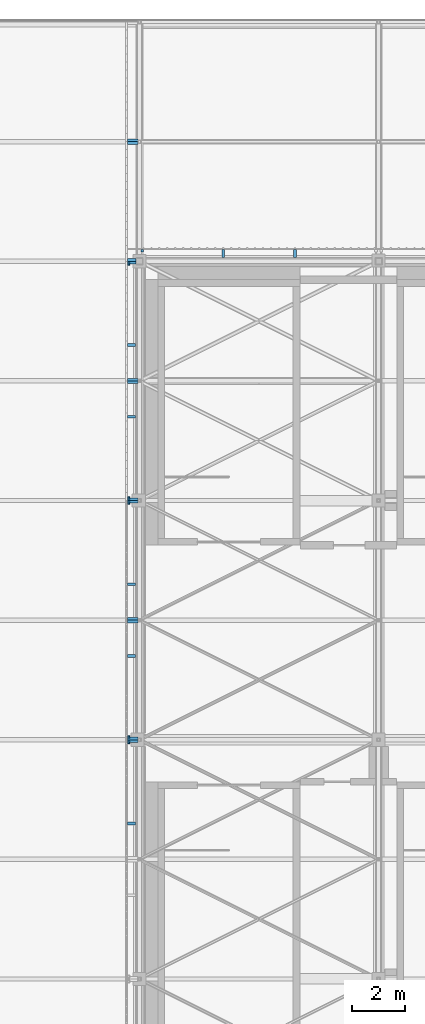
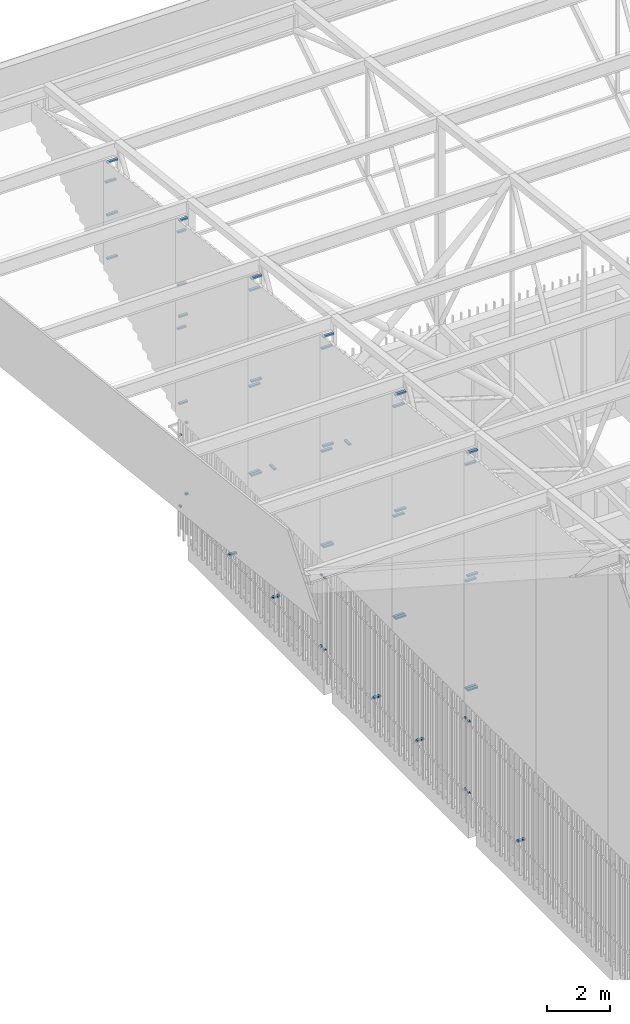
# One storey, part 446 of 500: 53 discrete accessories.
"""IFC4 building model written with IfcOpenShell, lengths in metres."""

from ifc_helpers import new_model, si_unit, direction, frame, origin, origin_2d, place, context, subcontext, project, spatial, rectangle, extrude, material, type_object, element, save


model = new_model("IFC4")

# Units and contexts
model_context = context("Model", 3, precision=1e-05, world=origin(), true_north=direction((0.0, 1.0)))
body_context = subcontext(model_context, "Body", "Model", "MODEL_VIEW")
ifc_project = project(units=[si_unit("LENGTHUNIT", "METRE"), si_unit("AREAUNIT", "SQUARE_METRE"), si_unit("VOLUMEUNIT", "CUBIC_METRE"), si_unit("PLANEANGLEUNIT", "RADIAN"), si_unit("MASSUNIT", "GRAM", prefix="KILO")], contexts=[model_context])

# Site, building, storey
site_placement = place(None, origin())
site = spatial("IfcSite", under=ifc_project, at=site_placement, CompositionType="ELEMENT")
building_placement = place(site_placement, origin())
building = spatial("IfcBuilding", under=site, at=building_placement, Name="Shirokan Park Arena", CompositionType="ELEMENT")
storey_placement = place(building_placement, frame((0.0, 0.0, 29.1201171875)))
storey = spatial("IfcBuildingStorey", under=building, at=storey_placement, Name="L06", CompositionType="ELEMENT", Elevation=29.1201171875)

# Discrete accessories
ifc_material = material(Name="Steel S355", Category="steel")
discrete_accessory_type = type_object("IfcDiscreteAccessoryType", Name="Veil bracket 100x60", PredefinedType="BRACKET", material=ifc_material)
for number, where, z_axis, x_axis, name in (
    (1, (0.10009765625, 109.597412109375, 1.06982421875), (0.0, 0.0, 1.0), (-1.0, 0.0, 0.0), "Veil bracket north bay 16 L06 2"),
    (2, (0.10009765625, 109.597412109375, 3.81982421875), (0.0, 0.0, 1.0), (-1.0, 0.0, 0.0), "Veil bracket north bay 16 L06 4"),
):
    element("IfcDiscreteAccessory", number, at=place(storey_placement, frame(where, z_axis=z_axis, x_axis=x_axis)), inside=storey, type_object=discrete_accessory_type, Name=name, PredefinedType="BRACKET", context=body_context, shape_type="SweptSolid", body=[
        extrude(rectangle(XDim=0.10009765625, YDim=0.094970703125, at=origin_2d()), origin(), (0.0, 0.0, 1.0), 0.06005859375),
    ])
for number, where, z_axis, x_axis, name in (
    (3, (5.9150390625, 109.49755859375, 1.06982421875), (0.0, 0.0, 1.0), (-1.0, 0.0, 0.0), "Veil bracket north bay 16 L06 wall 1"),
    (4, (3.18505859375, 109.49755859375, 1.06982421875), (0.0, 0.0, 1.0), (-1.0, 0.0, 0.0), "Veil bracket north bay 16 L06 wall 2"),
):
    element("IfcDiscreteAccessory", number, at=place(storey_placement, frame(where, z_axis=z_axis, x_axis=x_axis)), inside=storey, type_object=discrete_accessory_type, Name=name, PredefinedType="BRACKET", context=body_context, shape_type="SweptSolid", body=[
        extrude(rectangle(XDim=0.10009765625, YDim=0.294921875, at=origin_2d()), origin(), (0.0, 0.0, 1.0), 0.06005859375),
    ])
for number, where, z_axis, x_axis, name in (
    (5, (-0.409912109375, 109.10009765625, 1.06982421875), (0.0, 0.0, 1.0), (0.0, -1.0, 0.0), "Veil bracket west bay 1 L06 1"),
    (6, (-0.409912109375, 100.199951171875, 1.06982421875), (0.0, 0.0, 1.0), (0.0, -1.0, 0.0), "Veil bracket west bay 1 L06 2"),
    (7, (-0.409912109375, 109.10009765625, 3.81982421875), (0.0, 0.0, 1.0), (0.0, -1.0, 0.0), "Veil bracket west bay 1 L06 3"),
    (8, (-0.409912109375, 100.199951171875, 3.81982421875), (0.0, 0.0, 1.0), (0.0, -1.0, 0.0), "Veil bracket west bay 1 L06 4"),
):
    element("IfcDiscreteAccessory", number, at=place(storey_placement, frame(where, z_axis=z_axis, x_axis=x_axis)), inside=storey, type_object=discrete_accessory_type, Name=name, PredefinedType="BRACKET", context=body_context, shape_type="SweptSolid", body=[
        extrude(rectangle(XDim=0.10009765625, YDim=0.070068359375, at=origin_2d()), origin(), (0.0, 0.0, 1.0), 0.06005859375),
    ])
for number, where, z_axis, x_axis, name in (
    (9, (-0.297607421875, 106.014892578125, 1.06982421875), (0.0, 0.0, 1.0), (0.0, -1.0, 0.0), "Veil bracket west bay 1 L06 wall 1"),
    (10, (-0.297607421875, 103.284912109375, 1.06982421875), (0.0, 0.0, 1.0), (0.0, -1.0, 0.0), "Veil bracket west bay 1 L06 wall 2"),
):
    element("IfcDiscreteAccessory", number, at=place(storey_placement, frame(where, z_axis=z_axis, x_axis=x_axis)), inside=storey, type_object=discrete_accessory_type, Name=name, PredefinedType="BRACKET", context=body_context, shape_type="SweptSolid", body=[
        extrude(rectangle(XDim=0.10009765625, YDim=0.294921875, at=origin_2d()), origin(), (0.0, 0.0, 1.0), 0.06005859375),
    ])
for number, where, z_axis, x_axis, name in (
    (11, (-0.409912109375, 100.0, 1.06982421875), (0.0, 0.0, 1.0), (0.0, -1.0, 0.0), "Veil bracket west bay 2 L06 1"),
    (12, (-0.409912109375, 91.10009765625, 1.06982421875), (0.0, 0.0, 1.0), (0.0, -1.0, 0.0), "Veil bracket west bay 2 L06 2"),
    (13, (-0.409912109375, 100.0, 3.81982421875), (0.0, 0.0, 1.0), (0.0, -1.0, 0.0), "Veil bracket west bay 2 L06 3"),
    (14, (-0.409912109375, 91.10009765625, 3.81982421875), (0.0, 0.0, 1.0), (0.0, -1.0, 0.0), "Veil bracket west bay 2 L06 4"),
):
    element("IfcDiscreteAccessory", number, at=place(storey_placement, frame(where, z_axis=z_axis, x_axis=x_axis)), inside=storey, type_object=discrete_accessory_type, Name=name, PredefinedType="BRACKET", context=body_context, shape_type="SweptSolid", body=[
        extrude(rectangle(XDim=0.10009765625, YDim=0.070068359375, at=origin_2d()), origin(), (0.0, 0.0, 1.0), 0.06005859375),
    ])
for number, where, z_axis, x_axis, name in (
    (15, (-0.297607421875, 96.9150390625, 1.06982421875), (0.0, 0.0, 1.0), (0.0, -1.0, 0.0), "Veil bracket west bay 2 L06 wall 1"),
    (16, (-0.297607421875, 94.18505859375, 1.06982421875), (0.0, 0.0, 1.0), (0.0, -1.0, 0.0), "Veil bracket west bay 2 L06 wall 2"),
):
    element("IfcDiscreteAccessory", number, at=place(storey_placement, frame(where, z_axis=z_axis, x_axis=x_axis)), inside=storey, type_object=discrete_accessory_type, Name=name, PredefinedType="BRACKET", context=body_context, shape_type="SweptSolid", body=[
        extrude(rectangle(XDim=0.10009765625, YDim=0.294921875, at=origin_2d()), origin(), (0.0, 0.0, 1.0), 0.06005859375),
    ])
for number, where, z_axis, x_axis, name in (
    (17, (-0.409912109375, 90.89990234375, 1.06982421875), (0.0, 0.0, 1.0), (0.0, -1.0, 0.0), "Veil bracket west bay 3 L06 1"),
    (18, (-0.409912109375, 90.89990234375, 3.81982421875), (0.0, 0.0, 1.0), (0.0, -1.0, 0.0), "Veil bracket west bay 3 L06 3"),
):
    element("IfcDiscreteAccessory", number, at=place(storey_placement, frame(where, z_axis=z_axis, x_axis=x_axis)), inside=storey, type_object=discrete_accessory_type, Name=name, PredefinedType="BRACKET", context=body_context, shape_type="SweptSolid", body=[
        extrude(rectangle(XDim=0.10009765625, YDim=0.070068359375, at=origin_2d()), origin(), (0.0, 0.0, 1.0), 0.06005859375),
    ])
discrete_accessory_placement = place(storey_placement, frame((-0.297607421875, 87.81494140625, 1.06982421875), z_axis=(0.0, 0.0, 1.0), x_axis=(0.0, -1.0, 0.0)))
element("IfcDiscreteAccessory", 19, at=discrete_accessory_placement, inside=storey, type_object=discrete_accessory_type, Name="Veil bracket west bay 3 L06 wall 1", PredefinedType="BRACKET", context=body_context, shape_type="SweptSolid", body=[
    extrude(rectangle(XDim=0.10009765625, YDim=0.294921875, at=origin_2d()), origin(), (0.0, 0.0, 1.0), 0.06005859375),
])
for number, where, z_axis, x_axis, name in (
    (20, (-0.254150390625, 90.949951171875, 4.995849609375), (0.0, 0.0, 1.0), (1.0, 0.0, 0.0), "Veil bracket gable band west bay 22 4"),
    (21, (-0.254150390625, 90.949951171875, 9.393798828125), (0.0, 0.0, 1.0), (1.0, 0.0, 0.0), "Veil bracket gable band west bay 22 5"),
    (22, (-0.254150390625, 90.949951171875, 14.141845703125), (0.0, 0.0, 1.0), (1.0, 0.0, 0.0), "Veil bracket gable band west bay 22 6"),
    (23, (-0.254150390625, 91.050048828125, 4.995849609375), (0.0, 0.0, 1.0), (1.0, 0.0, 0.0), "Veil bracket gable band west bay 23 1"),
    (24, (-0.254150390625, 91.050048828125, 9.1337890625), (0.0, 0.0, 1.0), (1.0, 0.0, 0.0), "Veil bracket gable band west bay 23 2"),
    (25, (-0.254150390625, 91.050048828125, 13.621826171875), (0.0, 0.0, 1.0), (1.0, 0.0, 0.0), "Veil bracket gable band west bay 23 3"),
):
    element("IfcDiscreteAccessory", number, at=place(storey_placement, frame(where, z_axis=z_axis, x_axis=x_axis)), inside=storey, type_object=discrete_accessory_type, Name=name, PredefinedType="BRACKET", context=body_context, shape_type="SweptSolid", body=[
        extrude(rectangle(XDim=0.381591796875, YDim=0.10009765625, at=origin_2d()), origin(), (0.0, 0.0, 1.0), 0.06005859375),
    ])
for number, where, z_axis, x_axis, name in (
    (26, (-0.2509765625, 95.5, 4.995849609375), (0.0, 0.0, 1.0), (1.0, 0.0, 0.0), "Veil bracket gable band west bay 23 4"),
    (27, (-0.2509765625, 95.5, 9.1337890625), (0.0, 0.0, 1.0), (1.0, 0.0, 0.0), "Veil bracket gable band west bay 23 5"),
    (28, (-0.2509765625, 95.5, 13.621826171875), (0.0, 0.0, 1.0), (1.0, 0.0, 0.0), "Veil bracket gable band west bay 23 6"),
    (29, (-0.2509765625, 95.60009765625, 4.995849609375), (0.0, 0.0, 1.0), (1.0, 0.0, 0.0), "Veil bracket gable band west bay 24 1"),
    (30, (-0.2509765625, 95.60009765625, 8.873779296875), (0.0, 0.0, 1.0), (1.0, 0.0, 0.0), "Veil bracket gable band west bay 24 2"),
    (31, (-0.2509765625, 95.60009765625, 13.101806640625), (0.0, 0.0, 1.0), (1.0, 0.0, 0.0), "Veil bracket gable band west bay 24 3"),
):
    element("IfcDiscreteAccessory", number, at=place(storey_placement, frame(where, z_axis=z_axis, x_axis=x_axis)), inside=storey, type_object=discrete_accessory_type, Name=name, PredefinedType="BRACKET", context=body_context, shape_type="SweptSolid", body=[
        extrude(rectangle(XDim=0.387939453125, YDim=0.10009765625, at=origin_2d()), origin(), (0.0, 0.0, 1.0), 0.06005859375),
    ])
for number, where, z_axis, x_axis, name in (
    (32, (-0.254150390625, 100.050048828125, 4.995849609375), (0.0, 0.0, 1.0), (1.0, 0.0, 0.0), "Veil bracket gable band west bay 24 4"),
    (33, (-0.254150390625, 100.050048828125, 8.873779296875), (0.0, 0.0, 1.0), (1.0, 0.0, 0.0), "Veil bracket gable band west bay 24 5"),
    (34, (-0.254150390625, 100.050048828125, 13.101806640625), (0.0, 0.0, 1.0), (1.0, 0.0, 0.0), "Veil bracket gable band west bay 24 6"),
    (35, (-0.254150390625, 100.14990234375, 4.995849609375), (0.0, 0.0, 1.0), (1.0, 0.0, 0.0), "Veil bracket gable band west bay 25 1"),
    (36, (-0.254150390625, 100.14990234375, 8.61376953125), (0.0, 0.0, 1.0), (1.0, 0.0, 0.0), "Veil bracket gable band west bay 25 2"),
    (37, (-0.254150390625, 100.14990234375, 12.581787109375), (0.0, 0.0, 1.0), (1.0, 0.0, 0.0), "Veil bracket gable band west bay 25 3"),
):
    element("IfcDiscreteAccessory", number, at=place(storey_placement, frame(where, z_axis=z_axis, x_axis=x_axis)), inside=storey, type_object=discrete_accessory_type, Name=name, PredefinedType="BRACKET", context=body_context, shape_type="SweptSolid", body=[
        extrude(rectangle(XDim=0.381591796875, YDim=0.10009765625, at=origin_2d()), origin(), (0.0, 0.0, 1.0), 0.06005859375),
    ])
for number, where, z_axis, x_axis, name in (
    (38, (-0.2509765625, 104.60009765625, 4.995849609375), (0.0, 0.0, 1.0), (1.0, 0.0, 0.0), "Veil bracket gable band west bay 25 4"),
    (39, (-0.2509765625, 104.60009765625, 8.61376953125), (0.0, 0.0, 1.0), (1.0, 0.0, 0.0), "Veil bracket gable band west bay 25 5"),
    (40, (-0.2509765625, 104.60009765625, 12.581787109375), (0.0, 0.0, 1.0), (1.0, 0.0, 0.0), "Veil bracket gable band west bay 25 6"),
    (41, (-0.2509765625, 104.699951171875, 4.995849609375), (0.0, 0.0, 1.0), (1.0, 0.0, 0.0), "Veil bracket gable band west bay 26 1"),
    (42, (-0.2509765625, 104.699951171875, 8.353759765625), (0.0, 0.0, 1.0), (1.0, 0.0, 0.0), "Veil bracket gable band west bay 26 2"),
    (43, (-0.2509765625, 104.699951171875, 12.061767578125), (0.0, 0.0, 1.0), (1.0, 0.0, 0.0), "Veil bracket gable band west bay 26 3"),
):
    element("IfcDiscreteAccessory", number, at=place(storey_placement, frame(where, z_axis=z_axis, x_axis=x_axis)), inside=storey, type_object=discrete_accessory_type, Name=name, PredefinedType="BRACKET", context=body_context, shape_type="SweptSolid", body=[
        extrude(rectangle(XDim=0.387939453125, YDim=0.10009765625, at=origin_2d()), origin(), (0.0, 0.0, 1.0), 0.06005859375),
    ])
for number, where, z_axis, x_axis, name in (
    (44, (-0.285888671875, 109.14990234375, 4.995849609375), (0.0, 0.0, 1.0), (1.0, 0.0, 0.0), "Veil bracket gable band west bay 26 4"),
    (45, (-0.285888671875, 109.14990234375, 8.353759765625), (0.0, 0.0, 1.0), (1.0, 0.0, 0.0), "Veil bracket gable band west bay 26 5"),
    (46, (-0.285888671875, 109.14990234375, 12.061767578125), (0.0, 0.0, 1.0), (1.0, 0.0, 0.0), "Veil bracket gable band west bay 26 6"),
    (47, (-0.285888671875, 109.25, 7.82568359375), (0.0, 0.0, 1.0), (1.0, 0.0, 0.0), "Veil bracket gable band west bay 27 1"),
    (48, (-0.285888671875, 109.25, 9.5087890625), (0.0, 0.0, 1.0), (1.0, 0.0, 0.0), "Veil bracket gable band west bay 27 2"),
    (49, (-0.285888671875, 109.25, 11.541748046875), (0.0, 0.0, 1.0), (1.0, 0.0, 0.0), "Veil bracket gable band west bay 27 3"),
):
    element("IfcDiscreteAccessory", number, at=place(storey_placement, frame(where, z_axis=z_axis, x_axis=x_axis)), inside=storey, type_object=discrete_accessory_type, Name=name, PredefinedType="BRACKET", context=body_context, shape_type="SweptSolid", body=[
        extrude(rectangle(XDim=0.318115234375, YDim=0.10009765625, at=origin_2d()), origin(), (0.0, 0.0, 1.0), 0.06005859375),
    ])
for number, where, z_axis, x_axis, name in (
    (50, (-0.2509765625, 113.699951171875, 7.82568359375), (0.0, 0.0, 1.0), (1.0, 0.0, 0.0), "Veil bracket gable band west bay 27 4"),
    (51, (-0.2509765625, 113.699951171875, 9.5087890625), (0.0, 0.0, 1.0), (1.0, 0.0, 0.0), "Veil bracket gable band west bay 27 5"),
    (52, (-0.2509765625, 113.699951171875, 11.541748046875), (0.0, 0.0, 1.0), (1.0, 0.0, 0.0), "Veil bracket gable band west bay 27 6"),
    (53, (-0.2509765625, 113.800048828125, 10.712646484375), (0.0, 0.0, 1.0), (1.0, 0.0, 0.0), "Veil bracket gable band west bay 28 1"),
):
    element("IfcDiscreteAccessory", number, at=place(storey_placement, frame(where, z_axis=z_axis, x_axis=x_axis)), inside=storey, type_object=discrete_accessory_type, Name=name, PredefinedType="BRACKET", context=body_context, shape_type="SweptSolid", body=[
        extrude(rectangle(XDim=0.387939453125, YDim=0.10009765625, at=origin_2d()), origin(), (0.0, 0.0, 1.0), 0.06005859375),
    ])

save(model, "model.ifc")
